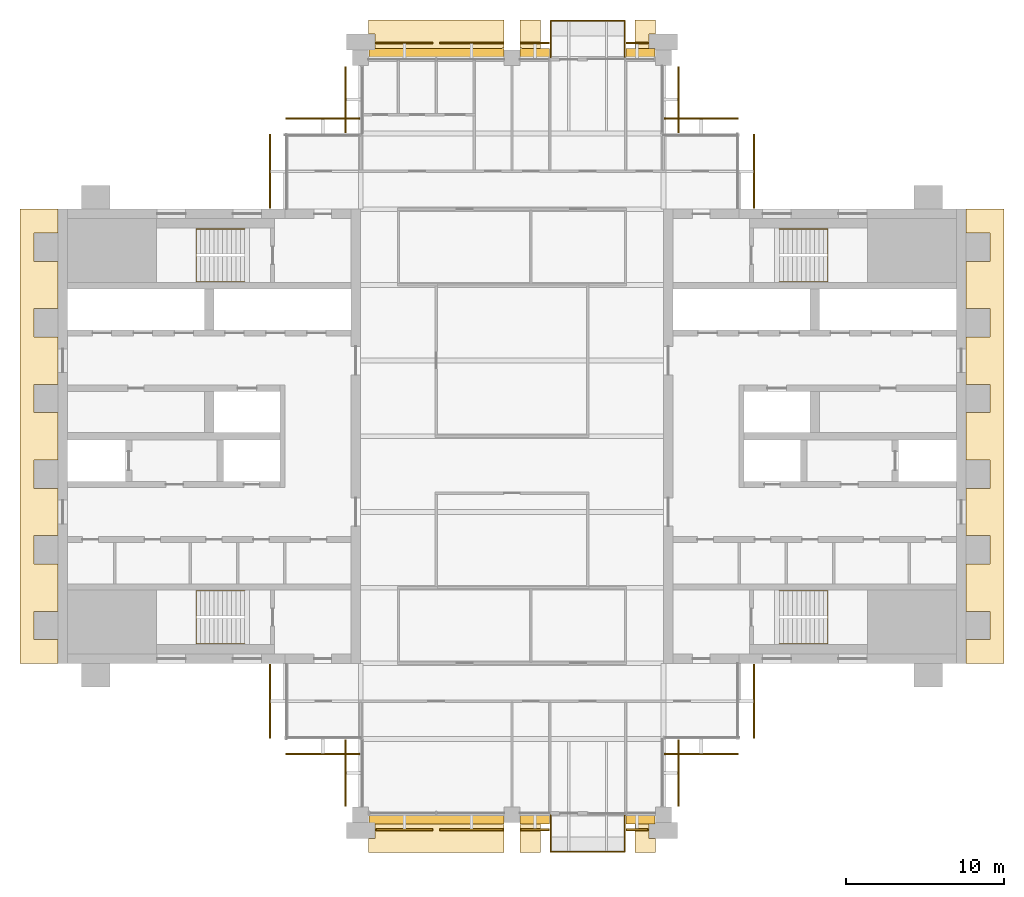
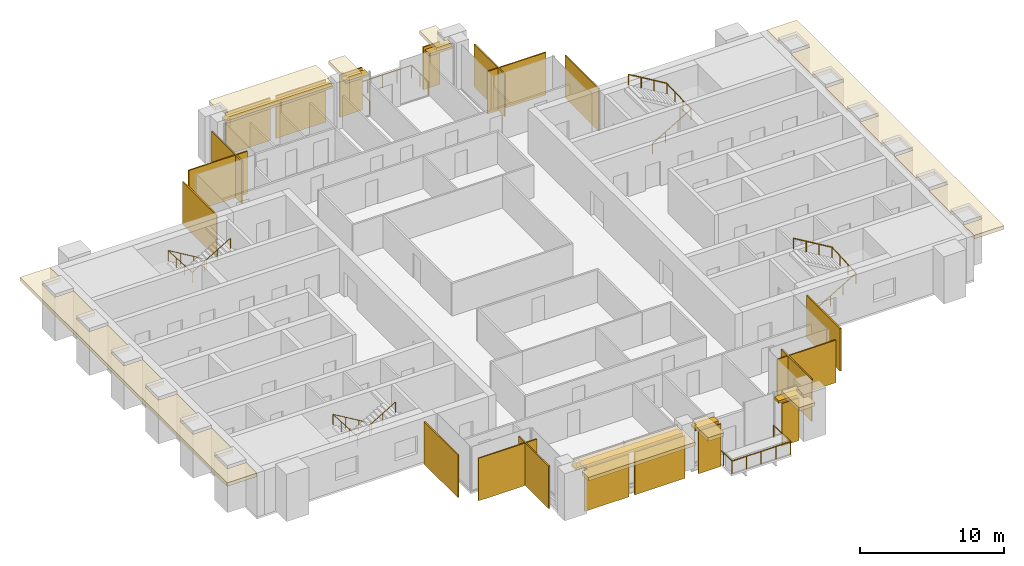
# One storey, part 13 of 13: 28 coverings, 6 railings, 6 shading devices.
"""IFC4 building model written with IfcOpenShell, lengths in metres."""

from ifc_helpers import new_model, si_unit, direction, frame, origin, origin_2d, place, context, subcontext, project, spatial, polyline, rectangle, circle, outline, extrude, material, layer, layer_set, type_object, element, save


model = new_model("IFC4")

# Units and contexts
model_context = context("Model", 3, precision=1e-05, world=origin(), true_north=direction((0.0, 1.0)))
body_context = subcontext(model_context, "Body", "Model", "MODEL_VIEW")
ifc_project = project(units=[si_unit("LENGTHUNIT", "METRE"), si_unit("AREAUNIT", "SQUARE_METRE"), si_unit("VOLUMEUNIT", "CUBIC_METRE"), si_unit("PLANEANGLEUNIT", "RADIAN"), si_unit("MASSUNIT", "GRAM", prefix="KILO")], contexts=[model_context])

# Site, building, storey
site_placement = place(None, origin())
site = spatial("IfcSite", under=ifc_project, at=site_placement, CompositionType="ELEMENT")
building_placement = place(site_placement, origin())
building = spatial("IfcBuilding", under=site, at=building_placement, Name="Baori Bourse Tower", CompositionType="ELEMENT")
storey_placement = place(building_placement, frame((0.0, 0.0, 350.300048828125)))
storey = spatial("IfcBuildingStorey", under=building, at=storey_placement, Name="L78", CompositionType="ELEMENT", Elevation=350.300048828125)

# Coverings
ifc_material_1 = material(Name="Pale anodised aluminium", Category="aluminium")
covering_type_1 = type_object("IfcCoveringType", Name="BD1 Pale metal band", PredefinedType="CLADDING", material=ifc_material_1)
covering_1_placement = place(storey_placement, frame((0.0, 0.0, 3.449951171875)))
element("IfcCovering", 1, at=covering_1_placement, inside=storey, type_object=covering_type_1, Name="Pale projecting band L78 1", PredefinedType="CLADDING", context=body_context, shape_type="SweptSolid", body=[
    extrude(outline(polyline([(57.60009765625, 11.10009765625), (57.60009765625, 9.60009765625), (60.0, 9.60009765625), (60.0, 38.39990234375), (57.60009765625, 38.39990234375), (57.60009765625, 36.89990234375), (59.10009765625, 36.89990234375), (59.10009765625, 35.10009765625), (57.60009765625, 35.10009765625), (57.60009765625, 32.10009765625), (59.10009765625, 32.10009765625), (59.10009765625, 30.300048828125), (57.60009765625, 30.300048828125), (57.60009765625, 27.300048828125), (59.10009765625, 27.300048828125), (59.10009765625, 25.5), (57.60009765625, 25.5), (57.60009765625, 22.5), (59.10009765625, 22.5), (59.10009765625, 20.699951171875), (57.60009765625, 20.699951171875), (57.60009765625, 17.699951171875), (59.10009765625, 17.699951171875), (59.10009765625, 15.89990234375), (57.60009765625, 15.89990234375), (57.60009765625, 12.89990234375), (59.10009765625, 12.89990234375), (59.10009765625, 11.10009765625), (57.60009765625, 11.10009765625)])), origin(), (0.0, 0.0, 1.0), 0.300048828125),
])
covering_2_placement = place(storey_placement, frame((0.0, 0.0, 3.449951171875)))
element("IfcCovering", 2, at=covering_2_placement, inside=storey, type_object=covering_type_1, Name="Pale projecting band L78 2", PredefinedType="CLADDING", context=body_context, shape_type="SweptSolid", body=[
    extrude(outline(polyline([(36.60009765625, 48.0), (37.780029296875, 48.0), (37.780029296875, 48.5), (37.5, 48.5), (37.5, 49.5), (37.89990234375, 49.5), (37.89990234375, 50.39990234375), (36.60009765625, 50.39990234375), (36.60009765625, 48.0)])), origin(), (0.0, 0.0, 1.0), 0.300048828125),
])
covering_3_placement = place(storey_placement, frame((0.0, 0.0, 3.449951171875)))
element("IfcCovering", 3, at=covering_3_placement, inside=storey, type_object=covering_type_1, Name="Pale projecting band L78 3", PredefinedType="CLADDING", context=body_context, shape_type="SweptSolid", body=[
    extrude(outline(polyline([(29.419921875, 48.0), (30.60009765625, 48.0), (30.60009765625, 50.39990234375), (29.300048828125, 50.39990234375), (29.300048828125, 48.6201171875), (29.419921875, 48.6201171875), (29.419921875, 48.0)])), origin(), (0.0, 0.0, 1.0), 0.300048828125),
])
covering_4_placement = place(storey_placement, frame((0.0, 0.0, 3.449951171875)))
element("IfcCovering", 4, at=covering_4_placement, inside=storey, type_object=covering_type_1, Name="Pale projecting band L78 4", PredefinedType="CLADDING", context=body_context, shape_type="SweptSolid", body=[
    extrude(outline(polyline([(19.820068359375, 48.0), (28.179931640625, 48.0), (28.179931640625, 48.6201171875), (28.300048828125, 48.6201171875), (28.300048828125, 50.39990234375), (19.699951171875, 50.39990234375), (19.699951171875, 49.5), (20.10009765625, 49.5), (20.10009765625, 48.5), (19.820068359375, 48.5), (19.820068359375, 48.0)])), origin(), (0.0, 0.0, 1.0), 0.300048828125),
])
covering_5_placement = place(storey_placement, frame((0.0, 0.0, 3.449951171875)))
element("IfcCovering", 5, at=covering_5_placement, inside=storey, type_object=covering_type_1, Name="Pale projecting band L78 5", PredefinedType="CLADDING", context=body_context, shape_type="SweptSolid", body=[
    extrude(outline(polyline([(0.0, 36.89990234375), (0.0, 38.39990234375), (-2.39990234375, 38.39990234375), (-2.39990234375, 9.60009765625), (0.0, 9.60009765625), (0.0, 11.10009765625), (-1.5, 11.10009765625), (-1.5, 12.89990234375), (0.0, 12.89990234375), (0.0, 15.89990234375), (-1.5, 15.89990234375), (-1.5, 17.699951171875), (0.0, 17.699951171875), (0.0, 20.699951171875), (-1.5, 20.699951171875), (-1.5, 22.5), (0.0, 22.5), (0.0, 25.5), (-1.5, 25.5), (-1.5, 27.300048828125), (0.0, 27.300048828125), (0.0, 30.300048828125), (-1.5, 30.300048828125), (-1.5, 32.10009765625), (0.0, 32.10009765625), (0.0, 35.10009765625), (-1.5, 35.10009765625), (-1.5, 36.89990234375), (0.0, 36.89990234375)])), origin(), (0.0, 0.0, 1.0), 0.300048828125),
])
covering_6_placement = place(storey_placement, frame((0.0, 0.0, 3.449951171875)))
element("IfcCovering", 6, at=covering_6_placement, inside=storey, type_object=covering_type_1, Name="Pale projecting band L78 6", PredefinedType="CLADDING", context=body_context, shape_type="SweptSolid", body=[
    extrude(outline(polyline([(28.179931640625, 0.0), (19.820068359375, 0.0), (19.820068359375, -0.5), (20.10009765625, -0.5), (20.10009765625, -1.5), (19.699951171875, -1.5), (19.699951171875, -2.39990234375), (28.300048828125, -2.39990234375), (28.300048828125, -0.6201171875), (28.179931640625, -0.6201171875), (28.179931640625, 0.0)])), origin(), (0.0, 0.0, 1.0), 0.300048828125),
])
covering_7_placement = place(storey_placement, frame((0.0, 0.0, 3.449951171875)))
element("IfcCovering", 7, at=covering_7_placement, inside=storey, type_object=covering_type_1, Name="Pale projecting band L78 7", PredefinedType="CLADDING", context=body_context, shape_type="SweptSolid", body=[
    extrude(outline(polyline([(30.60009765625, 0.0), (29.419921875, 0.0), (29.419921875, -0.6201171875), (29.300048828125, -0.6201171875), (29.300048828125, -2.39990234375), (30.60009765625, -2.39990234375), (30.60009765625, 0.0)])), origin(), (0.0, 0.0, 1.0), 0.300048828125),
])
covering_8_placement = place(storey_placement, frame((0.0, 0.0, 3.449951171875)))
element("IfcCovering", 8, at=covering_8_placement, inside=storey, type_object=covering_type_1, Name="Pale projecting band L78 8", PredefinedType="CLADDING", context=body_context, shape_type="SweptSolid", body=[
    extrude(outline(polyline([(37.780029296875, 0.0), (36.60009765625, 0.0), (36.60009765625, -2.39990234375), (37.89990234375, -2.39990234375), (37.89990234375, -1.5), (37.5, -1.5), (37.5, -0.5), (37.780029296875, -0.5), (37.780029296875, 0.0)])), origin(), (0.0, 0.0, 1.0), 0.300048828125),
])

# Shading devices
ifc_material_2 = material(Name="Concrete f'c 40 MPa", Category="concrete")
ifc_layer_1 = layer(ifc_material_2, 0.199951171875)
ifc_layer_set_1 = layer_set([ifc_layer_1], Name="BS1 Brise-soleil ledge")
shading_device_type = type_object("IfcShadingDeviceType", Name="BS1 Brise-soleil ledge", PredefinedType="USERDEFINED", material=ifc_layer_set_1)
for number, where, z_axis, x_axis, name in (
    (9, (36.949951171875, 48.300048828125, 3.25), (0.0, 0.0, 1.0), (-1.0, 0.0, 0.0), "Brise-soleil ledge L78 1"),
    (10, (30.25, 48.300048828125, 3.25), (0.0, 0.0, 1.0), (-1.0, 0.0, 0.0), "Brise-soleil ledge L78 2"),
):
    element("IfcShadingDevice", number, at=place(storey_placement, frame(where, z_axis=z_axis, x_axis=x_axis)), inside=storey, type_object=shading_device_type, Name=name, ObjectType="BRISE SOLEIL", PredefinedType="USERDEFINED", context=body_context, shape_type="SweptSolid", body=[
        extrude(rectangle(XDim=1.860107421875, YDim=0.60009765625, at=origin_2d()), origin(), (0.0, 0.0, 1.0), 0.199951171875),
    ])
for number, where, z_axis, x_axis, name in (
    (11, (24.0, 48.300048828125, 3.25), (0.0, 0.0, 1.0), (-1.0, 0.0, 0.0), "Brise-soleil ledge L78 3"),
    (12, (24.0, -0.300048828125, 3.25), (0.0, 0.0, 1.0), (1.0, 0.0, 0.0), "Brise-soleil ledge L78 4"),
):
    element("IfcShadingDevice", number, at=place(storey_placement, frame(where, z_axis=z_axis, x_axis=x_axis)), inside=storey, type_object=shading_device_type, Name=name, ObjectType="BRISE SOLEIL", PredefinedType="USERDEFINED", context=body_context, shape_type="SweptSolid", body=[
        extrude(rectangle(XDim=8.56005859375, YDim=0.60009765625, at=origin_2d()), origin(), (0.0, 0.0, 1.0), 0.199951171875),
    ])
for number, where, z_axis, x_axis, name in (
    (13, (30.25, -0.300048828125, 3.25), (0.0, 0.0, 1.0), (1.0, 0.0, 0.0), "Brise-soleil ledge L78 5"),
    (14, (36.949951171875, -0.300048828125, 3.25), (0.0, 0.0, 1.0), (1.0, 0.0, 0.0), "Brise-soleil ledge L78 6"),
):
    element("IfcShadingDevice", number, at=place(storey_placement, frame(where, z_axis=z_axis, x_axis=x_axis)), inside=storey, type_object=shading_device_type, Name=name, ObjectType="BRISE SOLEIL", PredefinedType="USERDEFINED", context=body_context, shape_type="SweptSolid", body=[
        extrude(rectangle(XDim=1.860107421875, YDim=0.60009765625, at=origin_2d()), origin(), (0.0, 0.0, 1.0), 0.199951171875),
    ])

# Railings
ifc_material_3 = material(Name="Powder-coated steel balustrade", Category="steel")
railing_type_1 = type_object("IfcRailingType", Name="Core stair handrail", PredefinedType="HANDRAIL", material=ifc_material_3)
railing_1_placement = place(storey_placement, frame((11.85009765625, 14.199951171875, 0.16650390625)))
element("IfcRailing", 15, at=railing_1_placement, inside=storey, type_object=railing_type_1, Name="L78 ST1 stair handrail 1", PredefinedType="HANDRAIL", context=body_context, shape_type="SweptSolid", body=[
    extrude(circle(Radius=0.02392578125, at=origin_2d()), frame((0.0, 0.0, 0.8759765625), z_axis=(-0.85927862911, 0.0, 0.511507807912), x_axis=(0.0, -1.0, 0.0)), (0.0, 0.0, 1.0), 3.58447265625),
    extrude(circle(Radius=0.02392578125, at=origin_2d()), frame((-3.080078125, 0.0, 2.70947265625), z_axis=(0.0, -0.998766999029, 0.049643545903), x_axis=(1.0, 0.0, 0.0)), (0.0, 0.0, 1.0), 3.35400390625),
    extrude(circle(Radius=0.02392578125, at=origin_2d()), frame((-3.080078125, -3.349853515625, 2.8759765625), z_axis=(0.85927862911, 0.0, 0.511507807912), x_axis=(0.0, 1.0, 0.0)), (0.0, 0.0, 1.0), 3.58447265625),
    extrude(circle(Radius=0.02099609375, at=origin_2d()), origin(), (0.0, 0.0, 1.0), 0.851806640625),
    extrude(circle(Radius=0.02099609375, at=origin_2d()), frame((-1.026611328125, 0.0, 0.611083984375)), (0.0, 0.0, 1.0), 0.851806640625),
    extrude(circle(Radius=0.02099609375, at=origin_2d()), frame((-2.053466796875, 0.0, 1.222412109375)), (0.0, 0.0, 1.0), 0.851806640625),
    extrude(circle(Radius=0.02099609375, at=origin_2d()), frame((-3.080078125, 0.0, 1.83349609375)), (0.0, 0.0, 1.0), 0.851806640625),
    extrude(circle(Radius=0.02099609375, at=origin_2d()), frame((-3.080078125, -1.11669921875, 1.888916015625)), (0.0, 0.0, 1.0), 0.851806640625),
    extrude(circle(Radius=0.02099609375, at=origin_2d()), frame((-3.080078125, -2.233154296875, 1.944580078125)), (0.0, 0.0, 1.0), 0.851806640625),
    extrude(circle(Radius=0.02099609375, at=origin_2d()), frame((-3.080078125, -3.349853515625, 2.0)), (0.0, 0.0, 1.0), 0.851806640625),
    extrude(circle(Radius=0.02099609375, at=origin_2d()), frame((-2.053466796875, -3.349853515625, 2.611083984375)), (0.0, 0.0, 1.0), 0.851806640625),
    extrude(circle(Radius=0.02099609375, at=origin_2d()), frame((-1.026611328125, -3.349853515625, 3.222412109375)), (0.0, 0.0, 1.0), 0.851806640625),
    extrude(circle(Radius=0.02099609375, at=origin_2d()), frame((0.0, -3.349853515625, 3.83349609375)), (0.0, 0.0, 1.0), 0.851806640625),
])
railing_2_placement = place(storey_placement, frame((11.85009765625, 37.14990234375, 0.16650390625)))
element("IfcRailing", 16, at=railing_2_placement, inside=storey, type_object=railing_type_1, Name="L78 ST2 stair handrail 1", PredefinedType="HANDRAIL", context=body_context, shape_type="SweptSolid", body=[
    extrude(circle(Radius=0.02392578125, at=origin_2d()), frame((0.0, 0.0, 0.8759765625), z_axis=(-0.85927862911, 0.0, 0.511507807912), x_axis=(0.0, -1.0, 0.0)), (0.0, 0.0, 1.0), 3.58447265625),
    extrude(circle(Radius=0.02392578125, at=origin_2d()), frame((-3.080078125, 0.0, 2.70947265625), z_axis=(0.0, -0.998766999029, 0.049643545903), x_axis=(1.0, 0.0, 0.0)), (0.0, 0.0, 1.0), 3.35400390625),
    extrude(circle(Radius=0.02392578125, at=origin_2d()), frame((-3.080078125, -3.349853515625, 2.8759765625), z_axis=(0.85927862911, 0.0, 0.511507807912), x_axis=(0.0, 1.0, 0.0)), (0.0, 0.0, 1.0), 3.58447265625),
    extrude(circle(Radius=0.02099609375, at=origin_2d()), origin(), (0.0, 0.0, 1.0), 0.851806640625),
    extrude(circle(Radius=0.02099609375, at=origin_2d()), frame((-1.026611328125, 0.0, 0.611083984375)), (0.0, 0.0, 1.0), 0.851806640625),
    extrude(circle(Radius=0.02099609375, at=origin_2d()), frame((-2.053466796875, 0.0, 1.222412109375)), (0.0, 0.0, 1.0), 0.851806640625),
    extrude(circle(Radius=0.02099609375, at=origin_2d()), frame((-3.080078125, 0.0, 1.83349609375)), (0.0, 0.0, 1.0), 0.851806640625),
    extrude(circle(Radius=0.02099609375, at=origin_2d()), frame((-3.080078125, -1.11669921875, 1.888916015625)), (0.0, 0.0, 1.0), 0.851806640625),
    extrude(circle(Radius=0.02099609375, at=origin_2d()), frame((-3.080078125, -2.233154296875, 1.944580078125)), (0.0, 0.0, 1.0), 0.851806640625),
    extrude(circle(Radius=0.02099609375, at=origin_2d()), frame((-3.080078125, -3.349853515625, 2.0)), (0.0, 0.0, 1.0), 0.851806640625),
    extrude(circle(Radius=0.02099609375, at=origin_2d()), frame((-2.053466796875, -3.349853515625, 2.611083984375)), (0.0, 0.0, 1.0), 0.851806640625),
    extrude(circle(Radius=0.02099609375, at=origin_2d()), frame((-1.026611328125, -3.349853515625, 3.222412109375)), (0.0, 0.0, 1.0), 0.851806640625),
    extrude(circle(Radius=0.02099609375, at=origin_2d()), frame((0.0, -3.349853515625, 3.83349609375)), (0.0, 0.0, 1.0), 0.851806640625),
])
railing_3_placement = place(storey_placement, frame((45.75, 10.85009765625, 0.16650390625)))
element("IfcRailing", 17, at=railing_3_placement, inside=storey, type_object=railing_type_1, Name="L78 ST3 stair handrail 1", PredefinedType="HANDRAIL", context=body_context, shape_type="SweptSolid", body=[
    extrude(circle(Radius=0.02392578125, at=origin_2d()), frame((0.0, 0.0, 0.8759765625), z_axis=(0.85927862911, 0.0, 0.511507807912), x_axis=(0.0, 1.0, 0.0)), (0.0, 0.0, 1.0), 3.58447265625),
    extrude(circle(Radius=0.02392578125, at=origin_2d()), frame((3.080078125, 0.0, 2.70947265625), z_axis=(0.0, 0.998766999029, 0.049643545903), x_axis=(-1.0, 0.0, 0.0)), (0.0, 0.0, 1.0), 3.35400390625),
    extrude(circle(Radius=0.02392578125, at=origin_2d()), frame((3.080078125, 3.349853515625, 2.8759765625), z_axis=(-0.85927862911, 0.0, 0.511507807912), x_axis=(0.0, -1.0, 0.0)), (0.0, 0.0, 1.0), 3.58447265625),
    extrude(circle(Radius=0.02099609375, at=origin_2d()), origin(), (0.0, 0.0, 1.0), 0.851806640625),
    extrude(circle(Radius=0.02099609375, at=origin_2d()), frame((1.026611328125, 0.0, 0.611083984375)), (0.0, 0.0, 1.0), 0.851806640625),
    extrude(circle(Radius=0.02099609375, at=origin_2d()), frame((2.053466796875, 0.0, 1.222412109375)), (0.0, 0.0, 1.0), 0.851806640625),
    extrude(circle(Radius=0.02099609375, at=origin_2d()), frame((3.080078125, 0.0, 1.83349609375)), (0.0, 0.0, 1.0), 0.851806640625),
    extrude(circle(Radius=0.02099609375, at=origin_2d()), frame((3.080078125, 1.11669921875, 1.888916015625)), (0.0, 0.0, 1.0), 0.851806640625),
    extrude(circle(Radius=0.02099609375, at=origin_2d()), frame((3.080078125, 2.233154296875, 1.944580078125)), (0.0, 0.0, 1.0), 0.851806640625),
    extrude(circle(Radius=0.02099609375, at=origin_2d()), frame((3.080078125, 3.349853515625, 2.0)), (0.0, 0.0, 1.0), 0.851806640625),
    extrude(circle(Radius=0.02099609375, at=origin_2d()), frame((2.053466796875, 3.349853515625, 2.611083984375)), (0.0, 0.0, 1.0), 0.851806640625),
    extrude(circle(Radius=0.02099609375, at=origin_2d()), frame((1.026611328125, 3.349853515625, 3.222412109375)), (0.0, 0.0, 1.0), 0.851806640625),
    extrude(circle(Radius=0.02099609375, at=origin_2d()), frame((0.0, 3.349853515625, 3.83349609375)), (0.0, 0.0, 1.0), 0.851806640625),
])
railing_4_placement = place(storey_placement, frame((45.75, 33.800048828125, 0.16650390625)))
element("IfcRailing", 18, at=railing_4_placement, inside=storey, type_object=railing_type_1, Name="L78 ST4 stair handrail 1", PredefinedType="HANDRAIL", context=body_context, shape_type="SweptSolid", body=[
    extrude(circle(Radius=0.02392578125, at=origin_2d()), frame((0.0, 0.0, 0.8759765625), z_axis=(0.85927862911, 0.0, 0.511507807912), x_axis=(0.0, 1.0, 0.0)), (0.0, 0.0, 1.0), 3.58447265625),
    extrude(circle(Radius=0.02392578125, at=origin_2d()), frame((3.080078125, 0.0, 2.70947265625), z_axis=(0.0, 0.998766999029, 0.049643545903), x_axis=(-1.0, 0.0, 0.0)), (0.0, 0.0, 1.0), 3.35400390625),
    extrude(circle(Radius=0.02392578125, at=origin_2d()), frame((3.080078125, 3.349853515625, 2.8759765625), z_axis=(-0.85927862911, 0.0, 0.511507807912), x_axis=(0.0, -1.0, 0.0)), (0.0, 0.0, 1.0), 3.58447265625),
    extrude(circle(Radius=0.02099609375, at=origin_2d()), origin(), (0.0, 0.0, 1.0), 0.851806640625),
    extrude(circle(Radius=0.02099609375, at=origin_2d()), frame((1.026611328125, 0.0, 0.611083984375)), (0.0, 0.0, 1.0), 0.851806640625),
    extrude(circle(Radius=0.02099609375, at=origin_2d()), frame((2.053466796875, 0.0, 1.222412109375)), (0.0, 0.0, 1.0), 0.851806640625),
    extrude(circle(Radius=0.02099609375, at=origin_2d()), frame((3.080078125, 0.0, 1.83349609375)), (0.0, 0.0, 1.0), 0.851806640625),
    extrude(circle(Radius=0.02099609375, at=origin_2d()), frame((3.080078125, 1.11669921875, 1.888916015625)), (0.0, 0.0, 1.0), 0.851806640625),
    extrude(circle(Radius=0.02099609375, at=origin_2d()), frame((3.080078125, 2.233154296875, 1.944580078125)), (0.0, 0.0, 1.0), 0.851806640625),
    extrude(circle(Radius=0.02099609375, at=origin_2d()), frame((3.080078125, 3.349853515625, 2.0)), (0.0, 0.0, 1.0), 0.851806640625),
    extrude(circle(Radius=0.02099609375, at=origin_2d()), frame((2.053466796875, 3.349853515625, 2.611083984375)), (0.0, 0.0, 1.0), 0.851806640625),
    extrude(circle(Radius=0.02099609375, at=origin_2d()), frame((1.026611328125, 3.349853515625, 3.222412109375)), (0.0, 0.0, 1.0), 0.851806640625),
    extrude(circle(Radius=0.02099609375, at=origin_2d()), frame((0.0, 3.349853515625, 3.83349609375)), (0.0, 0.0, 1.0), 0.851806640625),
])
ifc_material_4 = material(Name="Stainless steel", Category="steel")
railing_type_2 = type_object("IfcRailingType", Name="GD1 Guard", PredefinedType="GUARDRAIL", material=ifc_material_4)
railing_5_placement = place(storey_placement, frame((31.25, -0.030029296875, 0.0)))
element("IfcRailing", 19, at=railing_5_placement, inside=storey, type_object=railing_type_2, Name="Guard balcony S L78 1", PredefinedType="GUARDRAIL", context=body_context, shape_type="SweptSolid", body=[
    extrude(circle(Radius=0.02392578125, at=origin_2d()), frame((0.0, 0.0, 1.076171875), z_axis=(0.0, -1.0, 0.0), x_axis=(1.0, 0.0, 0.0)), (0.0, 0.0, 1.0), 2.320068359375),
    extrude(circle(Radius=0.02392578125, at=origin_2d()), frame((0.0, -2.320068359375, 1.076171875), z_axis=(1.0, 0.0, 0.0), x_axis=(0.0, 1.0, 0.0)), (0.0, 0.0, 1.0), 4.699951171875),
    extrude(circle(Radius=0.02392578125, at=origin_2d()), frame((4.699951171875, -2.320068359375, 1.076171875), z_axis=(0.0, 1.0, 0.0), x_axis=(-1.0, 0.0, 0.0)), (0.0, 0.0, 1.0), 2.320068359375),
    extrude(circle(Radius=0.02099609375, at=origin_2d()), origin(), (0.0, 0.0, 1.0), 1.052001953125),
    extrude(circle(Radius=0.02099609375, at=origin_2d()), frame((0.0, -1.16015625, 0.0)), (0.0, 0.0, 1.0), 1.052001953125),
    extrude(circle(Radius=0.02099609375, at=origin_2d()), frame((0.0, -2.320068359375, 0.0)), (0.0, 0.0, 1.0), 1.052001953125),
    extrude(circle(Radius=0.02099609375, at=origin_2d()), frame((1.175048828125, -2.320068359375, 0.0)), (0.0, 0.0, 1.0), 1.052001953125),
    extrude(circle(Radius=0.02099609375, at=origin_2d()), frame((2.35009765625, -2.320068359375, 0.0)), (0.0, 0.0, 1.0), 1.052001953125),
    extrude(circle(Radius=0.02099609375, at=origin_2d()), frame((3.52490234375, -2.320068359375, 0.0)), (0.0, 0.0, 1.0), 1.052001953125),
    extrude(circle(Radius=0.02099609375, at=origin_2d()), frame((4.699951171875, -2.320068359375, 0.0)), (0.0, 0.0, 1.0), 1.052001953125),
    extrude(circle(Radius=0.02099609375, at=origin_2d()), frame((4.699951171875, -1.16015625, 0.0)), (0.0, 0.0, 1.0), 1.052001953125),
    extrude(circle(Radius=0.02099609375, at=origin_2d()), frame((4.699951171875, 0.0, 0.0)), (0.0, 0.0, 1.0), 1.052001953125),
])
railing_6_placement = place(storey_placement, frame((31.25, 48.030029296875, 0.0)))
element("IfcRailing", 20, at=railing_6_placement, inside=storey, type_object=railing_type_2, Name="Guard balcony N L78 2", PredefinedType="GUARDRAIL", context=body_context, shape_type="SweptSolid", body=[
    extrude(circle(Radius=0.02392578125, at=origin_2d()), frame((0.0, 0.0, 1.076171875), z_axis=(0.0, 1.0, 0.0), x_axis=(-1.0, 0.0, 0.0)), (0.0, 0.0, 1.0), 2.320068359375),
    extrude(circle(Radius=0.02392578125, at=origin_2d()), frame((0.0, 2.320068359375, 1.076171875), z_axis=(1.0, 0.0, 0.0), x_axis=(0.0, 1.0, 0.0)), (0.0, 0.0, 1.0), 4.699951171875),
    extrude(circle(Radius=0.02392578125, at=origin_2d()), frame((4.699951171875, 2.320068359375, 1.076171875), z_axis=(0.0, -1.0, 0.0), x_axis=(1.0, 0.0, 0.0)), (0.0, 0.0, 1.0), 2.320068359375),
    extrude(circle(Radius=0.02099609375, at=origin_2d()), origin(), (0.0, 0.0, 1.0), 1.052001953125),
    extrude(circle(Radius=0.02099609375, at=origin_2d()), frame((0.0, 1.16015625, 0.0)), (0.0, 0.0, 1.0), 1.052001953125),
    extrude(circle(Radius=0.02099609375, at=origin_2d()), frame((0.0, 2.320068359375, 0.0)), (0.0, 0.0, 1.0), 1.052001953125),
    extrude(circle(Radius=0.02099609375, at=origin_2d()), frame((1.175048828125, 2.320068359375, 0.0)), (0.0, 0.0, 1.0), 1.052001953125),
    extrude(circle(Radius=0.02099609375, at=origin_2d()), frame((2.35009765625, 2.320068359375, 0.0)), (0.0, 0.0, 1.0), 1.052001953125),
    extrude(circle(Radius=0.02099609375, at=origin_2d()), frame((3.52490234375, 2.320068359375, 0.0)), (0.0, 0.0, 1.0), 1.052001953125),
    extrude(circle(Radius=0.02099609375, at=origin_2d()), frame((4.699951171875, 2.320068359375, 0.0)), (0.0, 0.0, 1.0), 1.052001953125),
    extrude(circle(Radius=0.02099609375, at=origin_2d()), frame((4.699951171875, 1.16015625, 0.0)), (0.0, 0.0, 1.0), 1.052001953125),
    extrude(circle(Radius=0.02099609375, at=origin_2d()), frame((4.699951171875, 0.0, 0.0)), (0.0, 0.0, 1.0), 1.052001953125),
])

# Coverings
ifc_material_5 = material(Name="Pale anodised aluminium", Category="aluminium")
ifc_layer_2 = layer(ifc_material_5, 0.10009765625)
ifc_layer_set_2 = layer_set([ifc_layer_2], Name="OS3 Outer skin screen panel")
covering_type_2 = type_object("IfcCoveringType", Name="OS3 Outer skin screen panel", PredefinedType="CLADDING", material=ifc_layer_set_2)
covering_9_placement = place(storey_placement, frame((0.0, 0.0, -0.16015625)))
element("IfcCovering", 21, at=covering_9_placement, inside=storey, type_object=covering_type_2, Name="Outer skin screen L78 1", PredefinedType="CLADDING", context=body_context, shape_type="SweptSolid", body=[
    extrude(outline(polyline([(44.10009765625, 43.14990234375), (44.10009765625, 38.449951171875), (44.199951171875, 38.449951171875), (44.199951171875, 43.14990234375), (44.10009765625, 43.14990234375)])), origin(), (0.0, 0.0, 1.0), 3.610107421875),
])
covering_10_placement = place(storey_placement, frame((0.0, 0.0, -0.16015625)))
element("IfcCovering", 22, at=covering_10_placement, inside=storey, type_object=covering_type_2, Name="Outer skin screen L78 2", PredefinedType="CLADDING", context=body_context, shape_type="SweptSolid", body=[
    extrude(outline(polyline([(38.449951171875, 44.10009765625), (43.14990234375, 44.10009765625), (43.14990234375, 44.199951171875), (38.449951171875, 44.199951171875), (38.449951171875, 44.10009765625)])), origin(), (0.0, 0.0, 1.0), 3.610107421875),
])
covering_11_placement = place(storey_placement, frame((0.0, 0.0, -0.16015625)))
element("IfcCovering", 23, at=covering_11_placement, inside=storey, type_object=covering_type_2, Name="Outer skin screen L78 3", PredefinedType="CLADDING", context=body_context, shape_type="SweptSolid", body=[
    extrude(outline(polyline([(39.300048828125, 47.449951171875), (39.300048828125, 43.25), (39.39990234375, 43.25), (39.39990234375, 47.449951171875), (39.300048828125, 47.449951171875)])), origin(), (0.0, 0.0, 1.0), 3.610107421875),
])
covering_12_placement = place(storey_placement, frame((0.0, 0.0, -0.16015625)))
element("IfcCovering", 24, at=covering_12_placement, inside=storey, type_object=covering_type_2, Name="Outer skin screen L78 4", PredefinedType="CLADDING", context=body_context, shape_type="SweptSolid", body=[
    extrude(outline(polyline([(36.050048828125, 48.89990234375), (37.39990234375, 48.89990234375), (37.39990234375, 49.0), (36.050048828125, 49.0), (36.050048828125, 48.89990234375)])), origin(), (0.0, 0.0, 1.0), 3.610107421875),
])
covering_13_placement = place(storey_placement, frame((0.0, 0.0, -0.16015625)))
element("IfcCovering", 25, at=covering_13_placement, inside=storey, type_object=covering_type_2, Name="Outer skin screen L78 5", PredefinedType="CLADDING", context=body_context, shape_type="SweptSolid", body=[
    extrude(outline(polyline([(29.35009765625, 48.89990234375), (31.14990234375, 48.89990234375), (31.14990234375, 49.0), (29.35009765625, 49.0), (29.35009765625, 48.89990234375)])), origin(), (0.0, 0.0, 1.0), 3.610107421875),
])
covering_14_placement = place(storey_placement, frame((0.0, 0.0, -0.16015625)))
element("IfcCovering", 26, at=covering_14_placement, inside=storey, type_object=covering_type_2, Name="Outer skin screen L78 6", PredefinedType="CLADDING", context=body_context, shape_type="SweptSolid", body=[
    extrude(outline(polyline([(24.22509765625, 48.89990234375), (28.25, 48.89990234375), (28.25, 49.0), (24.22509765625, 49.0), (24.22509765625, 48.89990234375)])), origin(), (0.0, 0.0, 1.0), 3.610107421875),
])
covering_15_placement = place(storey_placement, frame((0.0, 0.0, -0.16015625)))
element("IfcCovering", 27, at=covering_15_placement, inside=storey, type_object=covering_type_2, Name="Outer skin screen L78 7", PredefinedType="CLADDING", context=body_context, shape_type="SweptSolid", body=[
    extrude(outline(polyline([(20.199951171875, 48.89990234375), (23.77490234375, 48.89990234375), (23.77490234375, 49.0), (20.199951171875, 49.0), (20.199951171875, 48.89990234375)])), origin(), (0.0, 0.0, 1.0), 3.610107421875),
])
covering_16_placement = place(storey_placement, frame((0.0, 0.0, -0.16015625)))
element("IfcCovering", 28, at=covering_16_placement, inside=storey, type_object=covering_type_2, Name="Outer skin screen L78 8", PredefinedType="CLADDING", context=body_context, shape_type="SweptSolid", body=[
    extrude(outline(polyline([(18.300048828125, 43.25), (18.300048828125, 47.449951171875), (18.199951171875, 47.449951171875), (18.199951171875, 43.25), (18.300048828125, 43.25)])), origin(), (0.0, 0.0, 1.0), 3.610107421875),
])
covering_17_placement = place(storey_placement, frame((0.0, 0.0, -0.16015625)))
element("IfcCovering", 29, at=covering_17_placement, inside=storey, type_object=covering_type_2, Name="Outer skin screen L78 9", PredefinedType="CLADDING", context=body_context, shape_type="SweptSolid", body=[
    extrude(outline(polyline([(14.449951171875, 44.10009765625), (19.14990234375, 44.10009765625), (19.14990234375, 44.199951171875), (14.449951171875, 44.199951171875), (14.449951171875, 44.10009765625)])), origin(), (0.0, 0.0, 1.0), 3.610107421875),
])
covering_18_placement = place(storey_placement, frame((0.0, 0.0, -0.16015625)))
element("IfcCovering", 30, at=covering_18_placement, inside=storey, type_object=covering_type_2, Name="Outer skin screen L78 10", PredefinedType="CLADDING", context=body_context, shape_type="SweptSolid", body=[
    extrude(outline(polyline([(13.5, 38.449951171875), (13.5, 43.14990234375), (13.39990234375, 43.14990234375), (13.39990234375, 38.449951171875), (13.5, 38.449951171875)])), origin(), (0.0, 0.0, 1.0), 3.610107421875),
])
covering_19_placement = place(storey_placement, frame((0.0, 0.0, -0.16015625)))
element("IfcCovering", 31, at=covering_19_placement, inside=storey, type_object=covering_type_2, Name="Outer skin screen L78 11", PredefinedType="CLADDING", context=body_context, shape_type="SweptSolid", body=[
    extrude(outline(polyline([(13.5, 4.85009765625), (13.5, 9.550048828125), (13.39990234375, 9.550048828125), (13.39990234375, 4.85009765625), (13.5, 4.85009765625)])), origin(), (0.0, 0.0, 1.0), 3.610107421875),
])
covering_20_placement = place(storey_placement, frame((0.0, 0.0, -0.16015625)))
element("IfcCovering", 32, at=covering_20_placement, inside=storey, type_object=covering_type_2, Name="Outer skin screen L78 12", PredefinedType="CLADDING", context=body_context, shape_type="SweptSolid", body=[
    extrude(outline(polyline([(19.14990234375, 3.89990234375), (14.449951171875, 3.89990234375), (14.449951171875, 3.800048828125), (19.14990234375, 3.800048828125), (19.14990234375, 3.89990234375)])), origin(), (0.0, 0.0, 1.0), 3.610107421875),
])
covering_21_placement = place(storey_placement, frame((0.0, 0.0, -0.16015625)))
element("IfcCovering", 33, at=covering_21_placement, inside=storey, type_object=covering_type_2, Name="Outer skin screen L78 13", PredefinedType="CLADDING", context=body_context, shape_type="SweptSolid", body=[
    extrude(outline(polyline([(18.300048828125, 0.550048828125), (18.300048828125, 4.75), (18.199951171875, 4.75), (18.199951171875, 0.550048828125), (18.300048828125, 0.550048828125)])), origin(), (0.0, 0.0, 1.0), 3.610107421875),
])
covering_22_placement = place(storey_placement, frame((0.0, 0.0, -0.16015625)))
element("IfcCovering", 34, at=covering_22_placement, inside=storey, type_object=covering_type_2, Name="Outer skin screen L78 14", PredefinedType="CLADDING", context=body_context, shape_type="SweptSolid", body=[
    extrude(outline(polyline([(23.77490234375, -0.89990234375), (20.199951171875, -0.89990234375), (20.199951171875, -1.0), (23.77490234375, -1.0), (23.77490234375, -0.89990234375)])), origin(), (0.0, 0.0, 1.0), 3.610107421875),
])
covering_23_placement = place(storey_placement, frame((0.0, 0.0, -0.16015625)))
element("IfcCovering", 35, at=covering_23_placement, inside=storey, type_object=covering_type_2, Name="Outer skin screen L78 15", PredefinedType="CLADDING", context=body_context, shape_type="SweptSolid", body=[
    extrude(outline(polyline([(28.25, -0.89990234375), (24.22509765625, -0.89990234375), (24.22509765625, -1.0), (28.25, -1.0), (28.25, -0.89990234375)])), origin(), (0.0, 0.0, 1.0), 3.610107421875),
])
covering_24_placement = place(storey_placement, frame((0.0, 0.0, -0.16015625)))
element("IfcCovering", 36, at=covering_24_placement, inside=storey, type_object=covering_type_2, Name="Outer skin screen L78 16", PredefinedType="CLADDING", context=body_context, shape_type="SweptSolid", body=[
    extrude(outline(polyline([(31.14990234375, -0.89990234375), (29.35009765625, -0.89990234375), (29.35009765625, -1.0), (31.14990234375, -1.0), (31.14990234375, -0.89990234375)])), origin(), (0.0, 0.0, 1.0), 3.610107421875),
])
covering_25_placement = place(storey_placement, frame((0.0, 0.0, -0.16015625)))
element("IfcCovering", 37, at=covering_25_placement, inside=storey, type_object=covering_type_2, Name="Outer skin screen L78 17", PredefinedType="CLADDING", context=body_context, shape_type="SweptSolid", body=[
    extrude(outline(polyline([(37.39990234375, -0.89990234375), (36.050048828125, -0.89990234375), (36.050048828125, -1.0), (37.39990234375, -1.0), (37.39990234375, -0.89990234375)])), origin(), (0.0, 0.0, 1.0), 3.610107421875),
])
covering_26_placement = place(storey_placement, frame((0.0, 0.0, -0.16015625)))
element("IfcCovering", 38, at=covering_26_placement, inside=storey, type_object=covering_type_2, Name="Outer skin screen L78 18", PredefinedType="CLADDING", context=body_context, shape_type="SweptSolid", body=[
    extrude(outline(polyline([(39.300048828125, 4.75), (39.300048828125, 0.550048828125), (39.39990234375, 0.550048828125), (39.39990234375, 4.75), (39.300048828125, 4.75)])), origin(), (0.0, 0.0, 1.0), 3.610107421875),
])
covering_27_placement = place(storey_placement, frame((0.0, 0.0, -0.16015625)))
element("IfcCovering", 39, at=covering_27_placement, inside=storey, type_object=covering_type_2, Name="Outer skin screen L78 19", PredefinedType="CLADDING", context=body_context, shape_type="SweptSolid", body=[
    extrude(outline(polyline([(43.14990234375, 3.89990234375), (38.449951171875, 3.89990234375), (38.449951171875, 3.800048828125), (43.14990234375, 3.800048828125), (43.14990234375, 3.89990234375)])), origin(), (0.0, 0.0, 1.0), 3.610107421875),
])
covering_28_placement = place(storey_placement, frame((0.0, 0.0, -0.16015625)))
element("IfcCovering", 40, at=covering_28_placement, inside=storey, type_object=covering_type_2, Name="Outer skin screen L78 20", PredefinedType="CLADDING", context=body_context, shape_type="SweptSolid", body=[
    extrude(outline(polyline([(44.10009765625, 9.550048828125), (44.10009765625, 4.85009765625), (44.199951171875, 4.85009765625), (44.199951171875, 9.550048828125), (44.10009765625, 9.550048828125)])), origin(), (0.0, 0.0, 1.0), 3.610107421875),
])

save(model, "model.ifc")
